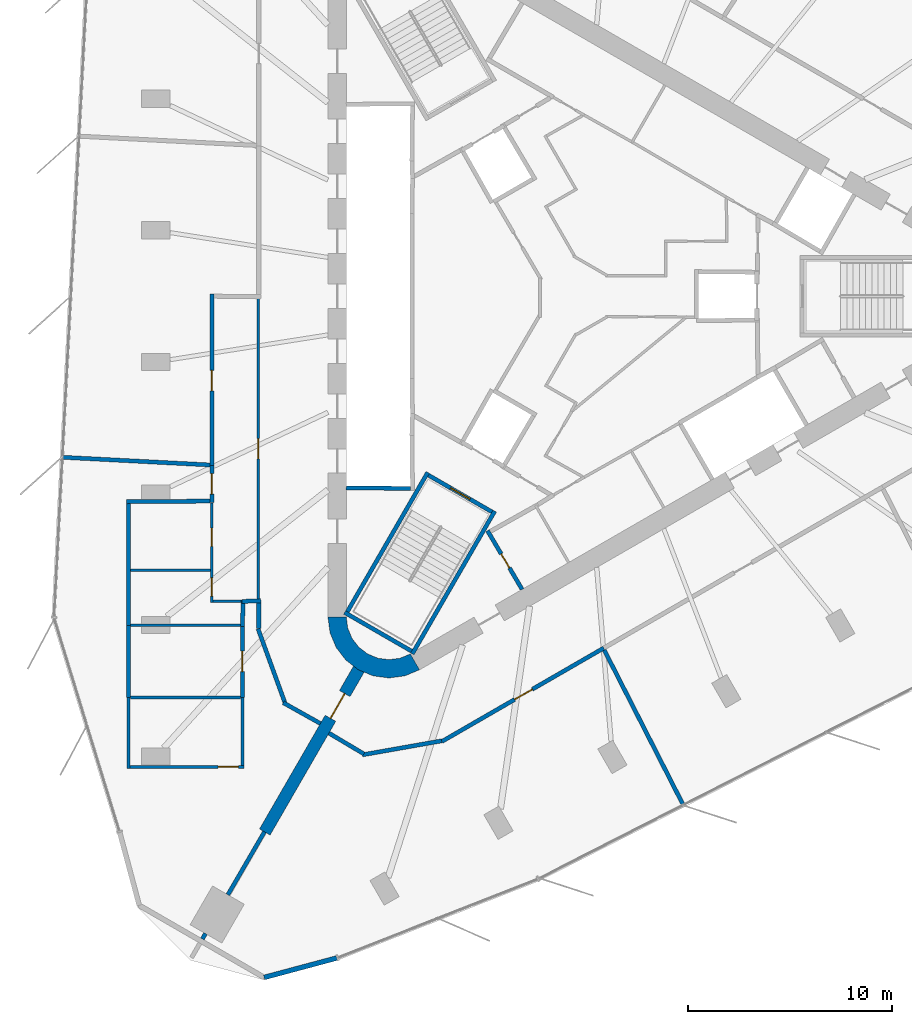
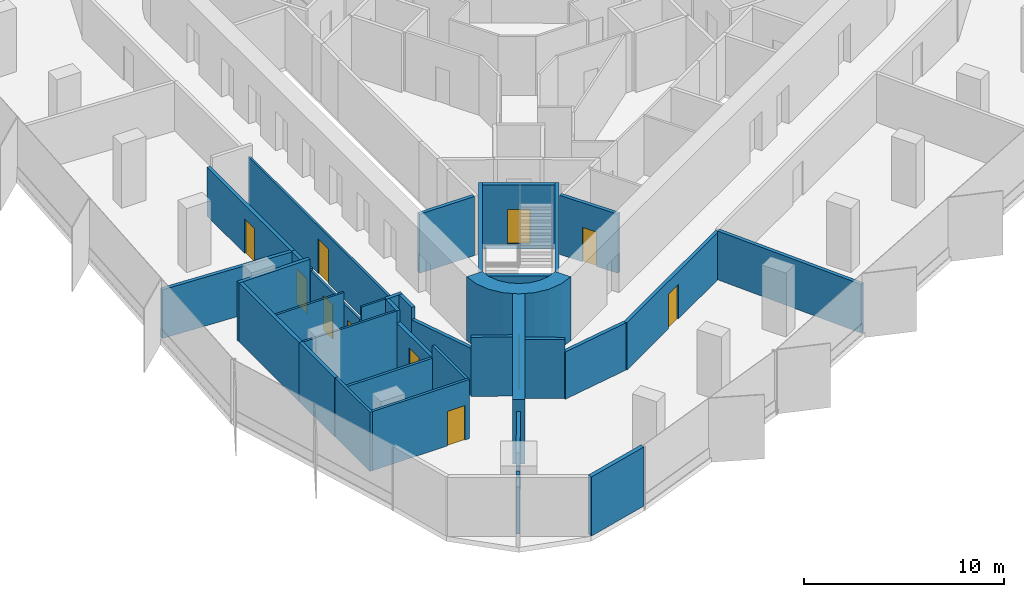
# One storey, part 8 of 13: 36 walls, 11 doors, 11 openings.
"""IFC4 building model written with IfcOpenShell, lengths in metres."""

from ifc_helpers import new_model, si_unit, direction, frame, frame_2d, origin, place, context, subcontext, project, spatial, polyline, rectangle, outline, extrude, material, layer, layer_set, type_object, element, fill, save


model = new_model("IFC4")

# Units and contexts
model_context = context("Model", 3, precision=1e-05, world=origin(), true_north=direction((0.0, 1.0)))
body_context = subcontext(model_context, "Body", "Model", "MODEL_VIEW")
ifc_project = project(units=[si_unit("LENGTHUNIT", "METRE"), si_unit("AREAUNIT", "SQUARE_METRE"), si_unit("VOLUMEUNIT", "CUBIC_METRE"), si_unit("PLANEANGLEUNIT", "RADIAN"), si_unit("MASSUNIT", "GRAM", prefix="KILO")], contexts=[model_context])

# Site, building, storey
site_placement = place(None, origin())
site = spatial("IfcSite", under=ifc_project, at=site_placement, CompositionType="ELEMENT")
building_placement = place(site_placement, origin())
building = spatial("IfcBuilding", under=site, at=building_placement, Name="Tanit Gate Tower", CompositionType="ELEMENT")
storey_placement = place(building_placement, frame((0.0, 0.0, 314.300048828125)))
storey = spatial("IfcBuildingStorey", under=building, at=storey_placement, Name="L70", CompositionType="ELEMENT", Elevation=314.300048828125)

# Wall, opening, door
ifc_material_1 = material(Name="Concrete C40/50", Category="concrete")
ifc_layer_1 = layer(ifc_material_1, 0.60009765625)
ifc_layer_set_1 = layer_set([ifc_layer_1], Name="BUTTRESS FIN 600 C40/50")
wall_type_1 = type_object("IfcWallType", Name="BUTTRESS FIN 600 C40/50", PredefinedType="SHEAR", material=ifc_layer_set_1)
wall_1_placement = place(storey_placement, frame((-10.574951171875, -18.31640625, 0.0), z_axis=(0.0, 0.0, 1.0), x_axis=(-0.500009446655, -0.866019949687, 0.0)))
wall_1 = element("IfcWall", 1, at=wall_1_placement, inside=storey, type_object=wall_type_1, Name="BUTTRESS FIN", PredefinedType="SHEAR", context=body_context, shape_type="SweptSolid", body=[
    extrude(rectangle(XDim=9.253662109375, YDim=0.60009765625, at=frame_2d((4.626953125, 0.0))), origin(), (0.0, 0.0, 1.0), 3.89990234375),
])
opening_1_placement = place(wall_1_placement, frame((1.39990234375, 0.0, 0.0)))
opening_1 = element("IfcOpeningElement", 2, at=opening_1_placement, cuts=wall_1, Name="Opening P14-S19-F-SW-1", PredefinedType="OPENING", context=body_context, shape_type="SweptSolid", body=[
    extrude(rectangle(XDim=1.39990234375, YDim=2.39990234375, at=frame_2d((0.699951171875, 1.199951171875))), frame((0.0, 0.31005859375, 0.0), z_axis=(0.0, -1.0, 0.0), x_axis=(1.0, 0.0, 0.0)), (0.0, 0.0, 1.0), 0.6201171875),
])
ifc_material_2 = material(Name="Timber door leaf", Category="wood")
door_type_1 = type_object("IfcDoorType", Name="INT-DOOR-FIN-PAIR-1400", OperationType="NOTDEFINED", PredefinedType="NOTDEFINED", material=ifc_material_2)
door_1_placement = place(opening_1_placement, origin())
door_1 = element("IfcDoor", 3, at=door_1_placement, inside=storey, type_object=door_type_1, Name="Door P14-S19-F-SW-1", OperationType="DOUBLE_DOOR_SINGLE_SWING", OverallHeight=2.39990234375, OverallWidth=1.39990234375, PredefinedType="NOTDEFINED", context=body_context, shape_type="SweptSolid", body=[
    extrude(rectangle(XDim=1.39990234375, YDim=2.39990234375, at=frame_2d((0.699951171875, 1.199951171875))), frame((0.0, 0.02490234375, 0.0), z_axis=(0.0, -1.0, 0.0), x_axis=(1.0, 0.0, 0.0)), (0.0, 0.0, 1.0), 0.050048828125),
])
fill(opening_1, door_1)

# Walls
ifc_material_3 = material(Name="Concrete C40/50", Category="concrete")
ifc_layer_2 = layer(ifc_material_3, 0.89990234375)
ifc_layer_set_2 = layer_set([ifc_layer_2], Name="CORE WALL 900 C40/50")
wall_type_2 = type_object("IfcWallType", Name="CORE WALL 900 C40/50", PredefinedType="SHEAR", material=ifc_layer_set_2)
wall_2_placement = place(storey_placement, origin())
element("IfcWall", 4, at=wall_2_placement, inside=storey, type_object=wall_type_2, Name="CORE WALL CORNER", PredefinedType="SHEAR", context=body_context, shape_type="SweptSolid", body=[
    extrude(outline(polyline([(-12.10009765625, -15.76171875), (-11.997802734375, -16.5380859375), (-11.697998046875, -17.26171875), (-11.22119140625, -17.883056640625), (-10.60009765625, -18.359619140625), (-9.87646484375, -18.659423828125), (-9.10009765625, -18.76171875), (-8.323486328125, -18.659423828125), (-7.60009765625, -18.359619140625), (-8.050048828125, -17.580322265625), (-8.556396484375, -17.7900390625), (-9.10009765625, -17.86181640625), (-9.6435546875, -17.7900390625), (-10.14990234375, -17.580322265625), (-10.5849609375, -17.24658203125), (-10.918701171875, -16.811767578125), (-11.12841796875, -16.30517578125), (-11.199951171875, -15.76171875), (-12.10009765625, -15.76171875)])), origin(), (0.0, 0.0, 1.0), 3.89990234375),
])
ifc_material_4 = material(Name="Concrete C30/37 with bronze anodised aluminium cladding", Category="concrete")
ifc_layer_3 = layer(ifc_material_4, 0.239990234375)
ifc_layer_set_3 = layer_set([ifc_layer_3], Name="Facade wall bronze clad 240")
wall_type_3 = type_object("IfcWallType", Name="Facade wall bronze clad 240", PredefinedType="SOLIDWALL", material=ifc_layer_set_3)
wall_3_placement = place(storey_placement, frame((-15.2333984375, -33.476806640625, 0.0), z_axis=(0.0, 0.0, 1.0), x_axis=(0.965938323568, 0.258772400119, 0.0)))
element("IfcWall", 5, at=wall_3_placement, inside=storey, type_object=wall_type_3, Name="Bronze-clad facade wall L70 SW.arc3", PredefinedType="SOLIDWALL", context=body_context, shape_type="SweptSolid", body=[
    extrude(rectangle(XDim=3.696533203125, YDim=0.239990234375, at=frame_2d((1.84814453125, 0.0))), origin(), (0.0, 0.0, 1.0), 3.599853515625),
])

# Wall, opening, door
ifc_material_5 = material(Name="Fire-rated gypsum board partition")
ifc_layer_4 = layer(ifc_material_5, 0.199951171875)
ifc_layer_set_4 = layer_set([ifc_layer_4], Name="INT-WALL-COMPARTMENT")
wall_type_4 = type_object("IfcWallType", Name="INT-WALL-COMPARTMENT", PredefinedType="PARTITIONING", material=ifc_layer_set_4)
wall_4_placement = place(storey_placement, frame((-4.259765625, -11.523681640625, 0.0), z_axis=(0.0, 0.0, 1.0), x_axis=(0.507997497166, -0.861358544901, 0.0)))
wall_4 = element("IfcWall", 6, at=wall_4_placement, inside=storey, type_object=wall_type_4, Name="Wall Compartment W053", PredefinedType="PARTITIONING", context=body_context, shape_type="SweptSolid", body=[
    extrude(rectangle(XDim=3.350341796875, YDim=0.199951171875, at=frame_2d((1.67529296875, 0.0))), origin(), (0.0, 0.0, 1.0), 3.599853515625),
])
opening_2_placement = place(wall_4_placement, frame((1.3251953125, 0.0, 0.0)))
opening_2 = element("IfcOpeningElement", 7, at=opening_2_placement, cuts=wall_4, Name="Opening R08-S19-16", PredefinedType="OPENING", context=body_context, shape_type="SweptSolid", body=[
    extrude(rectangle(XDim=0.800048828125, YDim=2.10009765625, at=frame_2d((0.39990234375, 1.050048828125))), frame((0.0, 0.10986328125, 0.0), z_axis=(0.0, -1.0, 0.0), x_axis=(1.0, 0.0, 0.0)), (0.0, 0.0, 1.0), 0.219970703125),
])
ifc_material_6 = material(Name="Timber door leaf", Category="wood")
door_type_2 = type_object("IfcDoorType", Name="INT-DOOR-RISER-800", OperationType="NOTDEFINED", PredefinedType="USERDEFINED", material=ifc_material_6)
door_2_placement = place(opening_2_placement, origin())
door_2 = element("IfcDoor", 8, at=door_2_placement, inside=storey, type_object=door_type_2, Name="Door R08-S19-16", ObjectType="FIRE DOOR", OperationType="SINGLE_SWING_LEFT", OverallHeight=2.10009765625, OverallWidth=0.800048828125, PredefinedType="USERDEFINED", context=body_context, shape_type="SweptSolid", body=[
    extrude(rectangle(XDim=0.800048828125, YDim=2.10009765625, at=frame_2d((0.39990234375, 1.050048828125))), frame((0.0, 0.02490234375, 0.0), z_axis=(0.0, -1.0, 0.0), x_axis=(1.0, 0.0, 0.0)), (0.0, 0.0, 1.0), 0.050048828125),
])
fill(opening_2, door_2)

wall_5_placement = place(storey_placement, frame((-17.800048828125, 0.10009765625, 0.0), z_axis=(0.0, 0.0, 1.0), x_axis=(0.0, -1.0, 0.0)))
wall_5 = element("IfcWall", 9, at=wall_5_placement, inside=storey, type_object=wall_type_4, Name="Wall Compartment W092", PredefinedType="PARTITIONING", context=body_context, shape_type="SweptSolid", body=[
    extrude(rectangle(XDim=8.422607421875, YDim=0.199951171875, at=frame_2d((4.21142578125, 0.0))), origin(), (0.0, 0.0, 1.0), 2.969970703125),
])
opening_3_placement = place(wall_5_placement, frame((3.75, 0.0, 0.0)))
opening_3 = element("IfcOpeningElement", 10, at=opening_3_placement, cuts=wall_5, Name="Opening F10-S19-26", PredefinedType="OPENING", context=body_context, shape_type="SweptSolid", body=[
    extrude(rectangle(XDim=1.0, YDim=2.10009765625, at=frame_2d((0.5, 1.050048828125))), frame((0.0, 0.10986328125, 0.0), z_axis=(0.0, -1.0, 0.0), x_axis=(1.0, 0.0, 0.0)), (0.0, 0.0, 1.0), 0.219970703125),
])
ifc_material_7 = material(Name="Fire-rated steel door leaf", Category="steel")
door_type_3 = type_object("IfcDoorType", Name="INT-DOOR-FIRE-1000", OperationType="NOTDEFINED", PredefinedType="USERDEFINED", material=ifc_material_7)
door_3_placement = place(opening_3_placement, origin())
door_3 = element("IfcDoor", 11, at=door_3_placement, inside=storey, type_object=door_type_3, Name="Door F10-S19-26", ObjectType="FIRE DOOR", OperationType="SINGLE_SWING_LEFT", OverallHeight=2.10009765625, OverallWidth=1.0, PredefinedType="USERDEFINED", context=body_context, shape_type="SweptSolid", body=[
    extrude(rectangle(XDim=1.0, YDim=2.10009765625, at=frame_2d((0.5, 1.050048828125))), frame((0.0, 0.02490234375, 0.0), z_axis=(0.0, -1.0, 0.0), x_axis=(1.0, 0.0, 0.0)), (0.0, 0.0, 1.0), 0.050048828125),
])
fill(opening_3, door_3)

wall_6_placement = place(storey_placement, frame((-17.800048828125, -8.322509765625, 0.0), z_axis=(0.0, 0.0, 1.0), x_axis=(0.0, -1.0, 0.0)))
wall_6 = element("IfcWall", 12, at=wall_6_placement, inside=storey, type_object=wall_type_4, Name="Wall Compartment W090", PredefinedType="PARTITIONING", context=body_context, shape_type="SweptSolid", body=[
    extrude(rectangle(XDim=1.807373046875, YDim=0.199951171875, at=frame_2d((0.90380859375, 0.0))), origin(), (0.0, 0.0, 1.0), 2.969970703125),
])
opening_4_placement = place(wall_6_placement, frame((0.40380859375, 0.0, 0.0)))
opening_4 = element("IfcOpeningElement", 13, at=opening_4_placement, cuts=wall_6, Name="Opening F10-S19-25", PredefinedType="OPENING", context=body_context, shape_type="SweptSolid", body=[
    extrude(rectangle(XDim=1.0, YDim=2.10009765625, at=frame_2d((0.5, 1.050048828125))), frame((0.0, 0.10986328125, 0.0), z_axis=(0.0, -1.0, 0.0), x_axis=(1.0, 0.0, 0.0)), (0.0, 0.0, 1.0), 0.219970703125),
])
door_4_placement = place(opening_4_placement, origin())
door_4 = element("IfcDoor", 14, at=door_4_placement, inside=storey, type_object=door_type_3, Name="Door F10-S19-25", ObjectType="FIRE DOOR", OperationType="SINGLE_SWING_RIGHT", OverallHeight=2.10009765625, OverallWidth=1.0, PredefinedType="USERDEFINED", context=body_context, shape_type="SweptSolid", body=[
    extrude(rectangle(XDim=1.0, YDim=2.10009765625, at=frame_2d((0.5, 1.050048828125))), frame((0.0, 0.02490234375, 0.0), z_axis=(0.0, -1.0, 0.0), x_axis=(1.0, 0.0, 0.0)), (0.0, 0.0, 1.0), 0.050048828125),
])
fill(opening_4, door_4)

# Walls
wall_7_placement = place(storey_placement, frame((-16.330078125, -15.0, 0.0), z_axis=(0.0, 0.0, 1.0), x_axis=(0.999344339616, 0.036206227059, 0.0)))
element("IfcWall", 15, at=wall_7_placement, inside=storey, type_object=wall_type_4, Name="Wall Compartment W091", PredefinedType="PARTITIONING", context=body_context, shape_type="SweptSolid", body=[
    extrude(rectangle(XDim=0.930419921875, YDim=0.199951171875, at=frame_2d((0.46533203125, 0.0))), origin(), (0.0, 0.0, 1.0), 3.599853515625),
])
wall_8_placement = place(storey_placement, frame((-14.293212890625, -19.9775390625, 0.0), z_axis=(0.0, 0.0, 1.0), x_axis=(0.872510000486, -0.48859625362, 0.0)))
element("IfcWall", 16, at=wall_8_placement, inside=storey, type_object=wall_type_4, Name="Wall Compartment W097", PredefinedType="PARTITIONING", context=body_context, shape_type="SweptSolid", body=[
    extrude(rectangle(XDim=2.089599609375, YDim=0.199951171875, at=frame_2d((1.044921875, 0.0))), origin(), (0.0, 0.0, 1.0), 3.599853515625),
])
wall_9_placement = place(storey_placement, frame((-15.5341796875, -16.346435546875, 0.0), z_axis=(0.0, 0.0, 1.0), x_axis=(0.342001008711, -0.939699584996, 0.0)))
element("IfcWall", 17, at=wall_9_placement, inside=storey, type_object=wall_type_4, Name="Wall Compartment W098", PredefinedType="PARTITIONING", context=body_context, shape_type="SweptSolid", body=[
    extrude(rectangle(XDim=3.87548828125, YDim=0.199951171875, at=frame_2d((1.937744140625, 0.0))), origin(), (0.0, 0.0, 1.0), 2.8798828125),
])
wall_10_placement = place(storey_placement, frame((-15.5, -15.070068359375, 0.0), z_axis=(0.0, 0.0, 1.0), x_axis=(0.0, -1.0, 0.0)))
element("IfcWall", 18, at=wall_10_placement, inside=storey, type_object=wall_type_4, Name="Wall Compartment W099", PredefinedType="PARTITIONING", context=body_context, shape_type="SweptSolid", body=[
    extrude(rectangle(XDim=1.2705078125, YDim=0.199951171875, at=frame_2d((0.63525390625, 0.0))), origin(), (0.0, 0.0, 1.0), 3.599853515625),
])

# Wall, opening, door
wall_11_placement = place(storey_placement, frame((-6.505126953125, -21.884521484375, 0.0), z_axis=(0.0, 0.0, 1.0), x_axis=(0.8660236234, 0.500003083703, 0.0)))
wall_11 = element("IfcWall", 19, at=wall_11_placement, inside=storey, type_object=wall_type_4, Name="Wall Compartment W114", PredefinedType="PARTITIONING", context=body_context, shape_type="SweptSolid", body=[
    extrude(rectangle(XDim=9.1875, YDim=0.199951171875, at=frame_2d((4.59375, 0.0))), origin(), (0.0, 0.0, 1.0), 2.8798828125),
])
opening_5_placement = place(wall_11_placement, frame((4.13232421875, 0.0, 0.0)))
opening_5 = element("IfcOpeningElement", 20, at=opening_5_placement, cuts=wall_11, Name="Opening F10-S19-32", PredefinedType="OPENING", context=body_context, shape_type="SweptSolid", body=[
    extrude(rectangle(XDim=1.0, YDim=2.10009765625, at=frame_2d((0.5, 1.050048828125))), frame((0.0, 0.10986328125, 0.0), z_axis=(0.0, -1.0, 0.0), x_axis=(1.0, 0.0, 0.0)), (0.0, 0.0, 1.0), 0.219970703125),
])
door_5_placement = place(opening_5_placement, origin())
door_5 = element("IfcDoor", 21, at=door_5_placement, inside=storey, type_object=door_type_3, Name="Door F10-S19-32", ObjectType="FIRE DOOR", OperationType="SINGLE_SWING_RIGHT", OverallHeight=2.10009765625, OverallWidth=1.0, PredefinedType="USERDEFINED", context=body_context, shape_type="SweptSolid", body=[
    extrude(rectangle(XDim=1.0, YDim=2.10009765625, at=frame_2d((0.5, 1.050048828125))), frame((0.0, 0.02490234375, 0.0), z_axis=(0.0, -1.0, 0.0), x_axis=(1.0, 0.0, 0.0)), (0.0, 0.0, 1.0), 0.050048828125),
])
fill(opening_5, door_5)

# Walls
wall_12_placement = place(storey_placement, frame((-10.405517578125, -22.53759765625, 0.0), z_axis=(0.0, 0.0, 1.0), x_axis=(0.98480284819, 0.173675991999, 0.0)))
element("IfcWall", 22, at=wall_12_placement, inside=storey, type_object=wall_type_4, Name="Wall Compartment W115", PredefinedType="PARTITIONING", context=body_context, shape_type="SweptSolid", body=[
    extrude(rectangle(XDim=3.94873046875, YDim=0.199951171875, at=frame_2d((1.974365234375, 0.0))), origin(), (0.0, 0.0, 1.0), 2.8798828125),
])
wall_13_placement = place(storey_placement, frame((-12.05029296875, -21.4716796875, 0.0), z_axis=(0.0, 0.0, 1.0), x_axis=(0.859577966481, -0.511004617924, 0.0)))
element("IfcWall", 23, at=wall_13_placement, inside=storey, type_object=wall_type_4, Name="Wall Compartment W116", PredefinedType="PARTITIONING", context=body_context, shape_type="SweptSolid", body=[
    extrude(rectangle(XDim=1.99755859375, YDim=0.199951171875, at=frame_2d((0.998779296875, 0.0))), origin(), (0.0, 0.0, 1.0), 3.599853515625),
])
wall_14_placement = place(storey_placement, frame((-25.14794921875, -7.917236328125, 0.0), z_axis=(0.0, 0.0, 1.0), x_axis=(0.998646853221, -0.052004447423, 0.0)))
element("IfcWall", 24, at=wall_14_placement, inside=storey, type_object=wall_type_4, Name="Wall Compartment W117", PredefinedType="PARTITIONING", context=body_context, shape_type="SweptSolid", body=[
    extrude(rectangle(XDim=7.2578125, YDim=0.199951171875, at=frame_2d((3.62890625, 0.0))), origin(), (0.0, 0.0, 1.0), 2.969970703125),
])
wall_15_placement = place(storey_placement, frame((-18.117431640625, -31.3203125, 0.0), z_axis=(0.0, 0.0, 1.0), x_axis=(-0.500091252813, -0.865972712538, 0.0)))
element("IfcWall", 25, at=wall_15_placement, inside=storey, type_object=wall_type_4, Name="Wall Compartment W118", PredefinedType="PARTITIONING", context=body_context, shape_type="SweptSolid", body=[
    extrude(rectangle(XDim=0.3056640625, YDim=0.199951171875, at=frame_2d((0.15283203125, 0.0))), origin(), (0.0, 0.0, 1.0), 3.599853515625),
])
wall_16_placement = place(storey_placement, frame((-15.2177734375, -26.321044921875, 0.0), z_axis=(0.0, 0.0, 1.0), x_axis=(-0.50277219784, -0.864418947663, 0.0)))
element("IfcWall", 26, at=wall_16_placement, inside=storey, type_object=wall_type_4, Name="Wall Compartment W119", PredefinedType="PARTITIONING", context=body_context, shape_type="SweptSolid", body=[
    extrude(rectangle(XDim=3.579345703125, YDim=0.199951171875, at=frame_2d((1.78955078125, 0.0))), origin(), (0.0, 0.0, 1.0), 3.169921875),
])
wall_17_placement = place(storey_placement, frame((-17.89990234375, -10.07080078125, 0.0), z_axis=(0.0, 0.0, 1.0), x_axis=(-0.999973048838, -0.007341770728, 0.0)))
element("IfcWall", 27, at=wall_17_placement, inside=storey, type_object=wall_type_4, Name="Wall Compartment W120", PredefinedType="PARTITIONING", context=body_context, shape_type="SweptSolid", body=[
    extrude(rectangle(XDim=4.090087890625, YDim=0.199951171875, at=frame_2d((2.044921875, 0.0))), origin(), (0.0, 0.0, 1.0), 3.599853515625),
])
wall_18_placement = place(storey_placement, frame((-21.889892578125, -10.199951171875, 0.0), z_axis=(0.0, 0.0, 1.0), x_axis=(0.0, -1.0, 0.0)))
element("IfcWall", 28, at=wall_18_placement, inside=storey, type_object=wall_type_4, Name="Wall Compartment W121", PredefinedType="PARTITIONING", context=body_context, shape_type="SweptSolid", body=[
    extrude(rectangle(XDim=5.97509765625, YDim=0.199951171875, at=frame_2d((2.987548828125, 0.0))), origin(), (0.0, 0.0, 1.0), 3.599853515625),
])
wall_19_placement = place(storey_placement, frame((-21.889892578125, -16.175048828125, 0.0), z_axis=(0.0, 0.0, 1.0), x_axis=(0.0, -1.0, 0.0)))
element("IfcWall", 29, at=wall_19_placement, inside=storey, type_object=wall_type_4, Name="Wall Compartment W124", PredefinedType="PARTITIONING", context=body_context, shape_type="SweptSolid", body=[
    extrude(rectangle(XDim=3.540283203125, YDim=0.199951171875, at=frame_2d((1.77001953125, 0.0))), origin(), (0.0, 0.0, 1.0), 3.599853515625),
])
wall_20_placement = place(storey_placement, frame((-16.2685546875, -14.93994140625, 0.0), z_axis=(0.0, 0.0, 1.0), x_axis=(-0.024314076851, -0.999704369135, 0.0)))
element("IfcWall", 30, at=wall_20_placement, inside=storey, type_object=wall_type_4, Name="Wall Compartment W123", PredefinedType="PARTITIONING", context=body_context, shape_type="SweptSolid", body=[
    extrude(rectangle(XDim=1.29541015625, YDim=0.199951171875, at=frame_2d((0.647705078125, 0.0))), origin(), (0.0, 0.0, 1.0), 3.599853515625),
])

# Wall, opening, door
wall_21_placement = place(storey_placement, frame((-16.300048828125, -16.114990234375, 0.0), z_axis=(0.0, 0.0, 1.0), x_axis=(0.0, -1.0, 0.0)))
wall_21 = element("IfcWall", 31, at=wall_21_placement, inside=storey, type_object=wall_type_4, Name="Wall Compartment W125", PredefinedType="PARTITIONING", context=body_context, shape_type="SweptSolid", body=[
    extrude(rectangle(XDim=3.600341796875, YDim=0.199951171875, at=frame_2d((1.80029296875, 0.0))), origin(), (0.0, 0.0, 1.0), 2.8798828125),
])
opening_6_placement = place(wall_21_placement, frame((1.330078125, 0.0, 0.0)))
opening_6 = element("IfcOpeningElement", 32, at=opening_6_placement, cuts=wall_21, Name="Opening F10-S19-23", PredefinedType="OPENING", context=body_context, shape_type="SweptSolid", body=[
    extrude(rectangle(XDim=1.0, YDim=2.10009765625, at=frame_2d((0.5, 1.050048828125))), frame((0.0, 0.10986328125, 0.0), z_axis=(0.0, -1.0, 0.0), x_axis=(1.0, 0.0, 0.0)), (0.0, 0.0, 1.0), 0.219970703125),
])
door_6_placement = place(opening_6_placement, origin())
door_6 = element("IfcDoor", 33, at=door_6_placement, inside=storey, type_object=door_type_3, Name="Door F10-S19-23", ObjectType="FIRE DOOR", OperationType="SINGLE_SWING_RIGHT", OverallHeight=2.10009765625, OverallWidth=1.0, PredefinedType="USERDEFINED", context=body_context, shape_type="SweptSolid", body=[
    extrude(rectangle(XDim=1.0, YDim=2.10009765625, at=frame_2d((0.5, 1.050048828125))), frame((0.0, 0.02490234375, 0.0), z_axis=(0.0, -1.0, 0.0), x_axis=(1.0, 0.0, 0.0)), (0.0, 0.0, 1.0), 0.050048828125),
])
fill(opening_6, door_6)

# Wall
wall_22_placement = place(storey_placement, frame((5.35595703125, -24.997314453125, 0.0), z_axis=(0.0, 0.0, 1.0), x_axis=(-0.454291135593, 0.890853278672, 0.0)))
element("IfcWall", 34, at=wall_22_placement, inside=storey, type_object=wall_type_4, Name="Wall Compartment W136", PredefinedType="PARTITIONING", context=body_context, shape_type="SweptSolid", body=[
    extrude(rectangle(XDim=8.537841796875, YDim=0.199951171875, at=frame_2d((4.26904296875, 0.0))), origin(), (0.0, 0.0, 1.0), 2.969970703125),
])

# Wall, opening, door
ifc_material_8 = material(Name="Gypsum board partition")
ifc_layer_5 = layer(ifc_material_8, 0.1201171875)
ifc_layer_set_5 = layer_set([ifc_layer_5], Name="INT-WALL-PARTITION")
wall_type_5 = type_object("IfcWallType", Name="INT-WALL-PARTITION", PredefinedType="PARTITIONING", material=ifc_layer_set_5)
wall_23_placement = place(storey_placement, frame((-15.530029296875, 0.0, 0.0), z_axis=(0.0, 0.0, 1.0), x_axis=(0.0, -1.0, 0.0)))
wall_23 = element("IfcWall", 35, at=wall_23_placement, inside=storey, type_object=wall_type_5, Name="Wall Partition W089", PredefinedType="PARTITIONING", context=body_context, shape_type="SweptSolid", body=[
    extrude(rectangle(XDim=15.0, YDim=0.1201171875, at=frame_2d((7.5, 0.0))), origin(), (0.0, 0.0, 1.0), 2.8798828125),
])
opening_7_placement = place(wall_23_placement, frame((7.0, 0.0, 0.0)))
opening_7 = element("IfcOpeningElement", 36, at=opening_7_placement, cuts=wall_23, Name="Opening D10-S19-20", PredefinedType="OPENING", context=body_context, shape_type="SweptSolid", body=[
    extrude(rectangle(XDim=1.0, YDim=2.10009765625, at=frame_2d((0.5, 1.050048828125))), frame((0.0, 0.070068359375, 0.0), z_axis=(0.0, -1.0, 0.0), x_axis=(1.0, 0.0, 0.0)), (0.0, 0.0, 1.0), 0.14013671875),
])
ifc_material_9 = material(Name="Timber door leaf", Category="wood")
door_type_4 = type_object("IfcDoorType", Name="INT-DOOR-SINGLE-1000", OperationType="NOTDEFINED", PredefinedType="NOTDEFINED", material=ifc_material_9)
door_7_placement = place(opening_7_placement, origin())
door_7 = element("IfcDoor", 37, at=door_7_placement, inside=storey, type_object=door_type_4, Name="Door D10-S19-20", OperationType="SINGLE_SWING_RIGHT", OverallHeight=2.10009765625, OverallWidth=1.0, PredefinedType="NOTDEFINED", context=body_context, shape_type="SweptSolid", body=[
    extrude(rectangle(XDim=1.0, YDim=2.10009765625, at=frame_2d((0.5, 1.050048828125))), frame((0.0, 0.02490234375, 0.0), z_axis=(0.0, -1.0, 0.0), x_axis=(1.0, 0.0, 0.0)), (0.0, 0.0, 1.0), 0.050048828125),
])
fill(opening_7, door_7)

# Wall, openings, doors
wall_24_placement = place(storey_placement, frame((-17.800048828125, -10.169921875, 0.0), z_axis=(0.0, 0.0, 1.0), x_axis=(0.0, -1.0, 0.0)))
wall_24 = element("IfcWall", 38, at=wall_24_placement, inside=storey, type_object=wall_type_5, Name="Wall Partition W094", PredefinedType="PARTITIONING", context=body_context, shape_type="SweptSolid", body=[
    extrude(rectangle(XDim=4.89013671875, YDim=0.1201171875, at=frame_2d((2.445068359375, 0.0))), origin(), (0.0, 0.0, 1.0), 2.8798828125),
])
opening_8_placement = place(wall_24_placement, frame((1.226318359375, 0.0, 0.0)))
opening_8 = element("IfcOpeningElement", 39, at=opening_8_placement, cuts=wall_24, Name="Opening D09-S19-21", PredefinedType="OPENING", context=body_context, shape_type="SweptSolid", body=[
    extrude(rectangle(XDim=0.89990234375, YDim=2.10009765625, at=frame_2d((0.449951171875, 1.050048828125))), frame((0.0, 0.070068359375, 0.0), z_axis=(0.0, -1.0, 0.0), x_axis=(1.0, 0.0, 0.0)), (0.0, 0.0, 1.0), 0.14013671875),
])
opening_9_placement = place(wall_24_placement, frame((3.67138671875, 0.0, 0.0)))
opening_9 = element("IfcOpeningElement", 40, at=opening_9_placement, cuts=wall_24, Name="Opening D09-S19-22", PredefinedType="OPENING", context=body_context, shape_type="SweptSolid", body=[
    extrude(rectangle(XDim=0.89990234375, YDim=2.10009765625, at=frame_2d((0.449951171875, 1.050048828125))), frame((0.0, 0.070068359375, 0.0), z_axis=(0.0, -1.0, 0.0), x_axis=(1.0, 0.0, 0.0)), (0.0, 0.0, 1.0), 0.14013671875),
])
ifc_material_10 = material(Name="Timber door leaf", Category="wood")
door_type_5 = type_object("IfcDoorType", Name="INT-DOOR-SINGLE-900", OperationType="NOTDEFINED", PredefinedType="NOTDEFINED", material=ifc_material_10)
door_8_placement = place(opening_8_placement, origin())
door_8 = element("IfcDoor", 41, at=door_8_placement, inside=storey, type_object=door_type_5, Name="Door D09-S19-21", OperationType="SINGLE_SWING_RIGHT", OverallHeight=2.10009765625, OverallWidth=0.89990234375, PredefinedType="NOTDEFINED", context=body_context, shape_type="SweptSolid", body=[
    extrude(rectangle(XDim=0.89990234375, YDim=2.10009765625, at=frame_2d((0.449951171875, 1.050048828125))), frame((0.0, 0.02490234375, 0.0), z_axis=(0.0, -1.0, 0.0), x_axis=(1.0, 0.0, 0.0)), (0.0, 0.0, 1.0), 0.050048828125),
])
fill(opening_8, door_8)
door_9_placement = place(opening_9_placement, origin())
door_9 = element("IfcDoor", 42, at=door_9_placement, inside=storey, type_object=door_type_5, Name="Door D09-S19-22", OperationType="SINGLE_SWING_LEFT", OverallHeight=2.10009765625, OverallWidth=0.89990234375, PredefinedType="NOTDEFINED", context=body_context, shape_type="SweptSolid", body=[
    extrude(rectangle(XDim=0.89990234375, YDim=2.10009765625, at=frame_2d((0.449951171875, 1.050048828125))), frame((0.0, 0.02490234375, 0.0), z_axis=(0.0, -1.0, 0.0), x_axis=(1.0, 0.0, 0.0)), (0.0, 0.0, 1.0), 0.050048828125),
])
fill(opening_9, door_9)

# Walls
wall_25_placement = place(storey_placement, frame((-17.739990234375, -15.0, 0.0), z_axis=(0.0, 0.0, 1.0), x_axis=(1.0, 0.0, 0.0)))
element("IfcWall", 43, at=wall_25_placement, inside=storey, type_object=wall_type_5, Name="Wall Partition W095", PredefinedType="PARTITIONING", context=body_context, shape_type="SweptSolid", body=[
    extrude(rectangle(XDim=1.369873046875, YDim=0.1201171875, at=frame_2d((0.68505859375, 0.0))), origin(), (0.0, 0.0, 1.0), 3.599853515625),
])
wall_26_placement = place(storey_placement, frame((-21.7900390625, -13.462890625, 0.0), z_axis=(0.0, 0.0, 1.0), x_axis=(1.0, 0.0, 0.0)))
element("IfcWall", 44, at=wall_26_placement, inside=storey, type_object=wall_type_5, Name="Wall Partition W137", PredefinedType="PARTITIONING", context=body_context, shape_type="SweptSolid", body=[
    extrude(rectangle(XDim=3.929931640625, YDim=0.1201171875, at=frame_2d((1.96484375, 0.0))), origin(), (0.0, 0.0, 1.0), 3.599853515625),
])
wall_27_placement = place(storey_placement, frame((-16.39990234375, -16.175048828125, 0.0), z_axis=(0.0, 0.0, 1.0), x_axis=(-1.0, 0.0, 0.0)))
element("IfcWall", 45, at=wall_27_placement, inside=storey, type_object=wall_type_5, Name="Wall Partition W138", PredefinedType="PARTITIONING", context=body_context, shape_type="SweptSolid", body=[
    extrude(rectangle(XDim=5.39013671875, YDim=0.1201171875, at=frame_2d((2.695068359375, 0.0))), origin(), (0.0, 0.0, 1.0), 3.599853515625),
])
ifc_material_11 = material(Name="Fire-rated gypsum board partition")
ifc_layer_6 = layer(ifc_material_11, 0.14990234375)
ifc_layer_set_6 = layer_set([ifc_layer_6], Name="INT-WALL-RISER")
wall_type_6 = type_object("IfcWallType", Name="INT-WALL-RISER", PredefinedType="PLUMBINGWALL", material=ifc_layer_set_6)
wall_28_placement = place(storey_placement, frame((-21.889892578125, -19.71533203125, 0.0), z_axis=(0.0, 0.0, 1.0), x_axis=(0.0, -1.0, 0.0)))
element("IfcWall", 46, at=wall_28_placement, inside=storey, type_object=wall_type_6, Name="Wall Riser W126", PredefinedType="PLUMBINGWALL", context=body_context, shape_type="SweptSolid", body=[
    extrude(rectangle(XDim=3.48974609375, YDim=0.14990234375, at=frame_2d((1.744873046875, 0.0))), origin(), (0.0, 0.0, 1.0), 3.599853515625),
])

# Wall, opening, door
wall_29_placement = place(storey_placement, frame((-21.81494140625, -23.1298828125, 0.0), z_axis=(0.0, 0.0, 1.0), x_axis=(1.0, 0.0, 0.0)))
wall_29 = element("IfcWall", 47, at=wall_29_placement, inside=storey, type_object=wall_type_6, Name="Wall Riser W127", PredefinedType="PLUMBINGWALL", context=body_context, shape_type="SweptSolid", body=[
    extrude(rectangle(XDim=5.58984375, YDim=0.14990234375, at=frame_2d((2.794921875, 0.0))), origin(), (0.0, 0.0, 1.0), 3.599853515625),
])
opening_10_placement = place(wall_29_placement, frame((4.31494140625, 0.0, 0.0)))
opening_10 = element("IfcOpeningElement", 48, at=opening_10_placement, cuts=wall_29, Name="Opening F10-S19-24", PredefinedType="OPENING", context=body_context, shape_type="SweptSolid", body=[
    extrude(rectangle(XDim=1.0, YDim=2.10009765625, at=frame_2d((0.5, 1.050048828125))), frame((0.0, 0.0849609375, 0.0), z_axis=(0.0, -1.0, 0.0), x_axis=(1.0, 0.0, 0.0)), (0.0, 0.0, 1.0), 0.169921875),
])
door_10_placement = place(opening_10_placement, origin())
door_10 = element("IfcDoor", 49, at=door_10_placement, inside=storey, type_object=door_type_3, Name="Door F10-S19-24", ObjectType="FIRE DOOR", OperationType="SINGLE_SWING_RIGHT", OverallHeight=2.10009765625, OverallWidth=1.0, PredefinedType="USERDEFINED", context=body_context, shape_type="SweptSolid", body=[
    extrude(rectangle(XDim=1.0, YDim=2.10009765625, at=frame_2d((0.5, 1.050048828125))), frame((0.0, 0.02490234375, 0.0), z_axis=(0.0, -1.0, 0.0), x_axis=(1.0, 0.0, 0.0)), (0.0, 0.0, 1.0), 0.050048828125),
])
fill(opening_10, door_10)

# Walls
wall_30_placement = place(storey_placement, frame((-16.300048828125, -19.71533203125, 0.0), z_axis=(0.0, 0.0, 1.0), x_axis=(0.0, -1.0, 0.0)))
element("IfcWall", 50, at=wall_30_placement, inside=storey, type_object=wall_type_6, Name="Wall Riser W128", PredefinedType="PLUMBINGWALL", context=body_context, shape_type="SweptSolid", body=[
    extrude(rectangle(XDim=3.339599609375, YDim=0.14990234375, at=frame_2d((1.669921875, 0.0))), origin(), (0.0, 0.0, 1.0), 3.599853515625),
])
wall_31_placement = place(storey_placement, frame((-21.7900390625, -19.722900390625, 0.0), z_axis=(0.0, 0.0, 1.0), x_axis=(1.0, 0.0, 0.0)))
element("IfcWall", 51, at=wall_31_placement, inside=storey, type_object=wall_type_6, Name="Wall Riser W139", PredefinedType="PLUMBINGWALL", context=body_context, shape_type="SweptSolid", body=[
    extrude(rectangle(XDim=5.39013671875, YDim=0.14990234375, at=frame_2d((2.695068359375, 0.0))), origin(), (0.0, 0.0, 1.0), 2.8798828125),
])
ifc_material_12 = material(Name="Gypsum shaft wall system")
ifc_layer_7 = layer(ifc_material_12, 0.199951171875)
ifc_layer_set_7 = layer_set([ifc_layer_7], Name="INT-WALL-SHAFT")
wall_type_7 = type_object("IfcWallType", Name="INT-WALL-SHAFT", PredefinedType="PLUMBINGWALL", material=ifc_layer_set_7)
wall_32_placement = place(storey_placement, frame((-8.050048828125, -9.448974609375, 0.0), z_axis=(0.0, 0.0, 1.0), x_axis=(-0.999957467379, 0.009222983926, 0.0)))
element("IfcWall", 52, at=wall_32_placement, inside=storey, type_object=wall_type_7, Name="Wall Shaft W011", PredefinedType="PLUMBINGWALL", context=body_context, shape_type="SweptSolid", body=[
    extrude(rectangle(XDim=3.150146484375, YDim=0.199951171875, at=frame_2d((1.5751953125, 0.0))), origin(), (0.0, 0.0, 1.0), 3.599853515625),
])
ifc_material_13 = material(Name="Concrete C40/50", Category="concrete")
ifc_layer_8 = layer(ifc_material_13, 0.199951171875)
ifc_layer_set_8 = layer_set([ifc_layer_8], Name="INT-WALL-STAIR")
wall_type_8 = type_object("IfcWallType", Name="INT-WALL-STAIR", PredefinedType="SHEAR", material=ifc_layer_set_8)
wall_33_placement = place(storey_placement, frame((-3.904541015625, -10.56298828125, -0.300048828125), z_axis=(0.0, 0.0, 1.0), x_axis=(-0.500012932018, -0.866017937352, 0.0)))
element("IfcWall", 53, at=wall_33_placement, inside=storey, type_object=wall_type_8, Name="Wall Stair W036", PredefinedType="SHEAR", context=body_context, shape_type="SweptSolid", body=[
    extrude(rectangle(XDim=8.099853515625, YDim=0.199951171875, at=frame_2d((4.0498046875, 0.0))), origin(), (0.0, 0.0, 1.0), 3.89990234375),
])
wall_34_placement = place(storey_placement, frame((-11.281982421875, -15.541015625, -0.300048828125), z_axis=(0.0, 0.0, 1.0), x_axis=(0.866000483506, -0.500043160704, 0.0)))
element("IfcWall", 54, at=wall_34_placement, inside=storey, type_object=wall_type_8, Name="Wall Stair W037", PredefinedType="SHEAR", context=body_context, shape_type="SweptSolid", body=[
    extrude(rectangle(XDim=3.800048828125, YDim=0.199951171875, at=frame_2d((1.89990234375, 0.0))), origin(), (0.0, 0.0, 1.0), 3.89990234375),
])
wall_35_placement = place(storey_placement, frame((-7.195556640625, -8.662841796875, -0.300048828125), z_axis=(0.0, 0.0, 1.0), x_axis=(-0.499997992926, -0.866026562566, 0.0)))
element("IfcWall", 55, at=wall_35_placement, inside=storey, type_object=wall_type_8, Name="Wall Stair W038", PredefinedType="SHEAR", context=body_context, shape_type="SweptSolid", body=[
    extrude(rectangle(XDim=7.89990234375, YDim=0.199951171875, at=frame_2d((3.949951171875, 0.0))), origin(), (0.0, 0.0, 1.0), 3.89990234375),
])

# Wall, opening, door
wall_36_placement = place(storey_placement, frame((-4.041259765625, -10.599365234375, -0.300048828125), z_axis=(0.0, 0.0, 1.0), x_axis=(-0.866047807691, 0.499961193289, 0.0)))
wall_36 = element("IfcWall", 56, at=wall_36_placement, inside=storey, type_object=wall_type_8, Name="Wall Stair W039", PredefinedType="SHEAR", context=body_context, shape_type="SweptSolid", body=[
    extrude(rectangle(XDim=3.599853515625, YDim=0.199951171875, at=frame_2d((1.7998046875, 0.0))), origin(), (0.0, 0.0, 1.0), 3.89990234375),
])
opening_11_placement = place(wall_36_placement, frame((1.25, 0.0, 0.300048828125)))
opening_11 = element("IfcOpeningElement", 57, at=opening_11_placement, cuts=wall_36, Name="Opening S11-S19-07", PredefinedType="OPENING", context=body_context, shape_type="SweptSolid", body=[
    extrude(rectangle(XDim=1.10009765625, YDim=2.10009765625, at=frame_2d((0.550048828125, 1.050048828125))), frame((0.0, 0.10986328125, 0.0), z_axis=(0.0, -1.0, 0.0), x_axis=(1.0, 0.0, 0.0)), (0.0, 0.0, 1.0), 0.219970703125),
])
ifc_material_14 = material(Name="Timber door leaf", Category="wood")
door_type_6 = type_object("IfcDoorType", Name="INT-DOOR-STAIR-1100", OperationType="NOTDEFINED", PredefinedType="USERDEFINED", material=ifc_material_14)
door_11_placement = place(opening_11_placement, origin())
door_11 = element("IfcDoor", 58, at=door_11_placement, inside=storey, type_object=door_type_6, Name="Door S11-S19-07", ObjectType="FIRE DOOR", OperationType="SINGLE_SWING_RIGHT", OverallHeight=2.10009765625, OverallWidth=1.10009765625, PredefinedType="USERDEFINED", context=body_context, shape_type="SweptSolid", body=[
    extrude(rectangle(XDim=1.10009765625, YDim=2.10009765625, at=frame_2d((0.550048828125, 1.050048828125))), frame((0.0, 0.02490234375, 0.0), z_axis=(0.0, -1.0, 0.0), x_axis=(1.0, 0.0, 0.0)), (0.0, 0.0, 1.0), 0.050048828125),
])
fill(opening_11, door_11)

save(model, "model.ifc")
